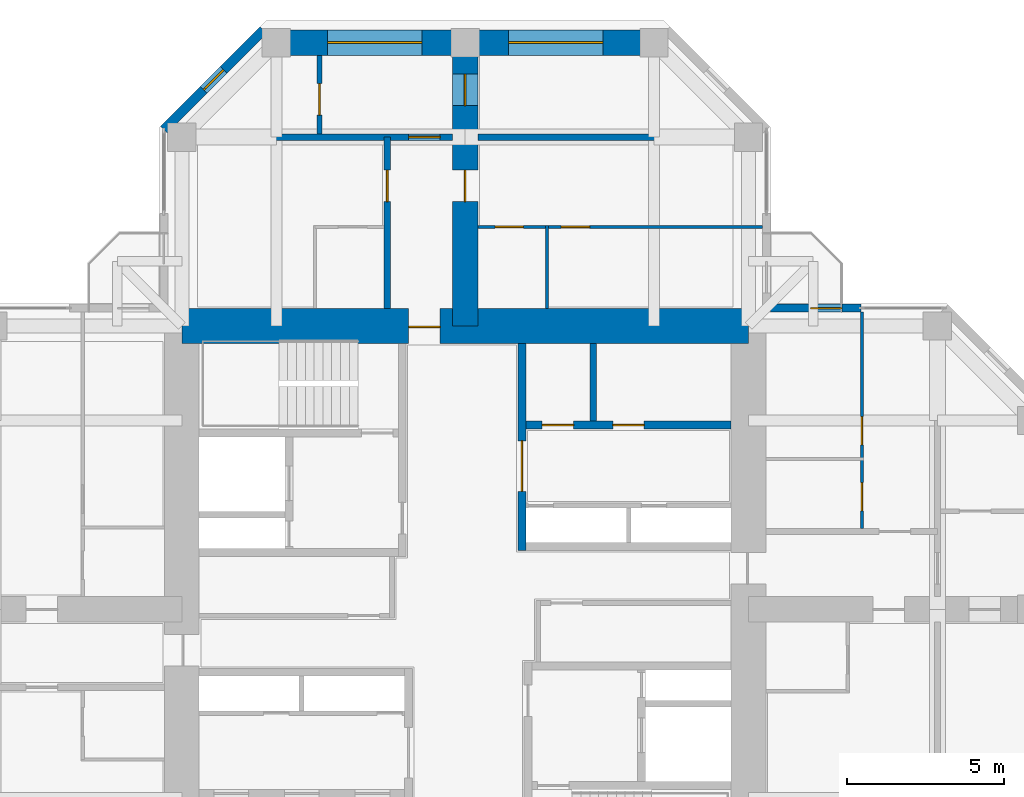
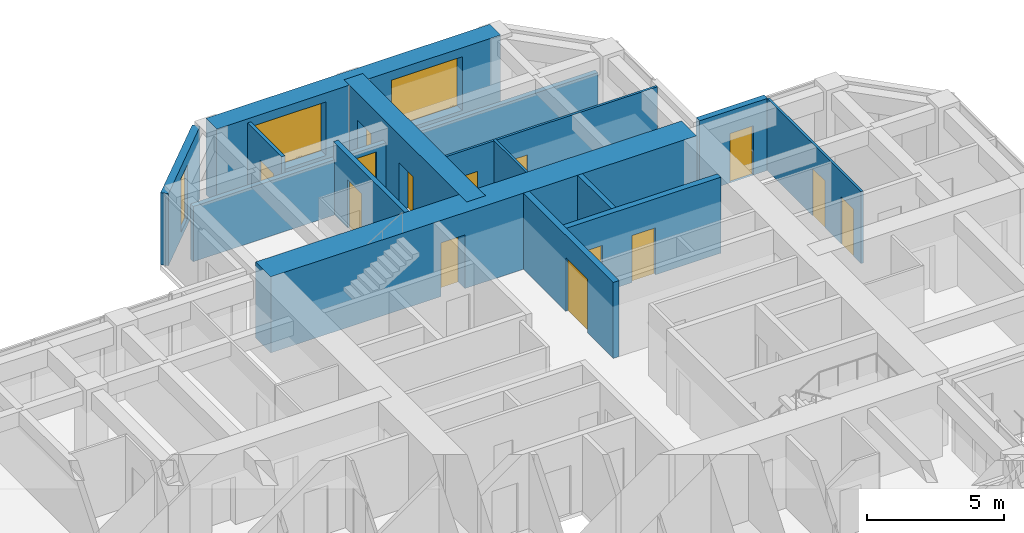
# One storey, part 12 of 14: 15 walls, 14 doors, 3 windows, 17 openings.
"""IFC4 building model written with IfcOpenShell, lengths in metres."""

from ifc_helpers import new_model, si_unit, direction, frame, frame_2d, origin, place, context, subcontext, project, spatial, rectangle, hollow_rectangle, extrude, material, layer, layer_set, constituent, constituent_set, type_object, element, fill, save


model = new_model("IFC4")

# Units and contexts
model_context = context("Model", 3, precision=1e-05, world=origin(), true_north=direction((0.0, 1.0)))
body_context = subcontext(model_context, "Body", "Model", "MODEL_VIEW")
ifc_project = project(units=[si_unit("LENGTHUNIT", "METRE"), si_unit("AREAUNIT", "SQUARE_METRE"), si_unit("VOLUMEUNIT", "CUBIC_METRE"), si_unit("PLANEANGLEUNIT", "RADIAN"), si_unit("MASSUNIT", "GRAM", prefix="KILO")], contexts=[model_context])

# Site, building, storey
site_placement = place(None, origin())
site = spatial("IfcSite", under=ifc_project, at=site_placement, CompositionType="ELEMENT")
building_placement = place(site_placement, origin())
building = spatial("IfcBuilding", under=site, at=building_placement, Name="Torre Cruceta", CompositionType="ELEMENT")
storey_placement = place(building_placement, frame((0.0, 0.0, 203.5)))
storey = spatial("IfcBuildingStorey", under=building, at=storey_placement, Name="L51", CompositionType="ELEMENT", Elevation=203.5)

# Wall
ifc_material_1 = material(Name="Water-resistant plasterboard on steel studs", Category="steel")
ifc_layer_1 = layer(ifc_material_1, 0.10009765625)
ifc_layer_set_1 = layer_set([ifc_layer_1], Name="Water-resistant plasterboard on steel studs")
wall_type_1 = type_object("IfcWallType", Name="BATHROOM WALL 100", PredefinedType="PARTITIONING", material=ifc_layer_set_1)
wall_1_placement = place(storey_placement, frame((2.60009765625, 9.550048828125, 0.0), z_axis=(0.0, 0.0, 1.0), x_axis=(0.0, 1.0, 0.0)))
element("IfcWall", 1, at=wall_1_placement, inside=storey, type_object=wall_type_1, Name="PT4 L51-N-U1RBB", PredefinedType="PARTITIONING", context=body_context, shape_type="SweptSolid", body=[
    extrude(rectangle(XDim=2.64990234375, YDim=0.10009765625, at=frame_2d((1.324951171875, 0.0))), origin(), (0.0, 0.0, 1.0), 3.219970703125),
])

# Wall, openings, doors
wall_2_placement = place(storey_placement, frame((9.445068359375, 12.14990234375, 0.0), z_axis=(0.0, 0.0, 1.0), x_axis=(-1.0, 0.0, 0.0)))
wall_2 = element("IfcWall", 2, at=wall_2_placement, inside=storey, type_object=wall_type_1, Name="PT4 L51-N-U1RBS", PredefinedType="PARTITIONING", context=body_context, shape_type="SweptSolid", body=[
    extrude(rectangle(XDim=9.045166015625, YDim=0.10009765625, at=frame_2d((4.5224609375, 0.0))), origin(), (0.0, 0.0, 1.0), 3.219970703125),
])
opening_1_placement = place(wall_2_placement, frame((5.4951171875, 0.0, 0.0)))
opening_1 = element("IfcOpeningElement", 3, at=opening_1_placement, cuts=wall_2, Name="Opening D7", PredefinedType="OPENING", context=body_context, shape_type="SweptSolid", body=[
    extrude(rectangle(XDim=0.89990234375, YDim=2.10009765625, at=frame_2d((0.449951171875, 1.050048828125))), frame((0.0, 0.06005859375, 0.0), z_axis=(0.0, -1.0, 0.0), x_axis=(1.0, 0.0, 0.0)), (0.0, 0.0, 1.0), 0.1201171875),
])
opening_2_placement = place(wall_2_placement, frame((7.594970703125, 0.0, 0.0)))
opening_2 = element("IfcOpeningElement", 4, at=opening_2_placement, cuts=wall_2, Name="Opening D7", PredefinedType="OPENING", context=body_context, shape_type="SweptSolid", body=[
    extrude(rectangle(XDim=0.89990234375, YDim=2.10009765625, at=frame_2d((0.449951171875, 1.050048828125))), frame((0.0, 0.06005859375, 0.0), z_axis=(0.0, -1.0, 0.0), x_axis=(1.0, 0.0, 0.0)), (0.0, 0.0, 1.0), 0.1201171875),
])
ifc_material_2 = material(Name="Timber door", Category="wood")
door_type_1 = type_object("IfcDoorType", Name="BATHROOM DOOR 900X2100", OperationType="SINGLE_SWING_LEFT", PredefinedType="DOOR", material=ifc_material_2)
door_1_placement = place(opening_1_placement, origin())
door_1 = element("IfcDoor", 5, at=door_1_placement, inside=storey, type_object=door_type_1, Name="D7 L51-N-U1RBS-D1", OperationType="SINGLE_SWING_RIGHT", OverallHeight=2.10009765625, OverallWidth=0.89990234375, PredefinedType="DOOR", context=body_context, shape_type="SweptSolid", body=[
    extrude(rectangle(XDim=0.89990234375, YDim=2.10009765625, at=frame_2d((0.449951171875, 1.050048828125))), frame((0.0, 0.02490234375, 0.0), z_axis=(0.0, -1.0, 0.0), x_axis=(1.0, 0.0, 0.0)), (0.0, 0.0, 1.0), 0.050048828125),
])
fill(opening_1, door_1)
door_2_placement = place(opening_2_placement, origin())
door_2 = element("IfcDoor", 6, at=door_2_placement, inside=storey, type_object=door_type_1, Name="D7 L51-N-U1RBS-D2", OperationType="SINGLE_SWING_RIGHT", OverallHeight=2.10009765625, OverallWidth=0.89990234375, PredefinedType="DOOR", context=body_context, shape_type="SweptSolid", body=[
    extrude(rectangle(XDim=0.89990234375, YDim=2.10009765625, at=frame_2d((0.449951171875, 1.050048828125))), frame((0.0, 0.02490234375, 0.0), z_axis=(0.0, -1.0, 0.0), x_axis=(1.0, 0.0, 0.0)), (0.0, 0.0, 1.0), 0.050048828125),
])
fill(opening_2, door_2)

wall_3_placement = place(storey_placement, frame((12.60009765625, 2.574951171875, 0.0), z_axis=(0.0, 0.0, 1.0), x_axis=(0.0, 1.0, 0.0)))
wall_3 = element("IfcWall", 7, at=wall_3_placement, inside=storey, type_object=wall_type_1, Name="PT4 L51-E-U1LBS", PredefinedType="PARTITIONING", context=body_context, shape_type="SweptSolid", body=[
    extrude(rectangle(XDim=6.8701171875, YDim=0.10009765625, at=frame_2d((3.43505859375, 0.0))), origin(), (0.0, 0.0, 1.0), 3.219970703125),
])
opening_3_placement = place(wall_3_placement, frame((0.550048828125, 0.0, 0.0)))
opening_3 = element("IfcOpeningElement", 8, at=opening_3_placement, cuts=wall_3, Name="Opening D7", PredefinedType="OPENING", context=body_context, shape_type="SweptSolid", body=[
    extrude(rectangle(XDim=0.89990234375, YDim=2.10009765625, at=frame_2d((0.449951171875, 1.050048828125))), frame((0.0, 0.06005859375, 0.0), z_axis=(0.0, -1.0, 0.0), x_axis=(1.0, 0.0, 0.0)), (0.0, 0.0, 1.0), 0.1201171875),
])
opening_4_placement = place(wall_3_placement, frame((2.64990234375, 0.0, 0.0)))
opening_4 = element("IfcOpeningElement", 9, at=opening_4_placement, cuts=wall_3, Name="Opening D7", PredefinedType="OPENING", context=body_context, shape_type="SweptSolid", body=[
    extrude(rectangle(XDim=0.89990234375, YDim=2.10009765625, at=frame_2d((0.449951171875, 1.050048828125))), frame((0.0, 0.06005859375, 0.0), z_axis=(0.0, -1.0, 0.0), x_axis=(1.0, 0.0, 0.0)), (0.0, 0.0, 1.0), 0.1201171875),
])
door_3_placement = place(opening_3_placement, origin())
door_3 = element("IfcDoor", 10, at=door_3_placement, inside=storey, type_object=door_type_1, Name="D7 L51-E-U1LBS-D1", OperationType="SINGLE_SWING_LEFT", OverallHeight=2.10009765625, OverallWidth=0.89990234375, PredefinedType="DOOR", context=body_context, shape_type="SweptSolid", body=[
    extrude(rectangle(XDim=0.89990234375, YDim=2.10009765625, at=frame_2d((0.449951171875, 1.050048828125))), frame((0.0, 0.02490234375, 0.0), z_axis=(0.0, -1.0, 0.0), x_axis=(1.0, 0.0, 0.0)), (0.0, 0.0, 1.0), 0.050048828125),
])
fill(opening_3, door_3)
door_4_placement = place(opening_4_placement, origin())
door_4 = element("IfcDoor", 11, at=door_4_placement, inside=storey, type_object=door_type_1, Name="D7 L51-E-U1LBS-D2", OperationType="SINGLE_SWING_LEFT", OverallHeight=2.10009765625, OverallWidth=0.89990234375, PredefinedType="DOOR", context=body_context, shape_type="SweptSolid", body=[
    extrude(rectangle(XDim=0.89990234375, YDim=2.10009765625, at=frame_2d((0.449951171875, 1.050048828125))), frame((0.0, 0.02490234375, 0.0), z_axis=(0.0, -1.0, 0.0), x_axis=(1.0, 0.0, 0.0)), (0.0, 0.0, 1.0), 0.050048828125),
])
fill(opening_4, door_4)

# Wall, opening, door
ifc_material_3 = material(Name="Concrete G60 (fck 60 MPa)", Category="concrete")
ifc_layer_2 = layer(ifc_material_3, 0.25)
ifc_layer_set_2 = layer_set([ifc_layer_2], Name="Concrete G60 (fck 60 MPa)")
wall_type_2 = type_object("IfcWallType", Name="CORE INNER WALL 250 G60", PredefinedType="SHEAR", material=ifc_layer_set_2)
wall_4_placement = place(storey_placement, frame((1.800048828125, 1.875, 0.0), z_axis=(0.0, 0.0, 1.0), x_axis=(0.0, 1.0, 0.0)))
wall_4 = element("IfcWall", 12, at=wall_4_placement, inside=storey, type_object=wall_type_2, Name="CW4 L51 NE-CU", PredefinedType="SHEAR", context=body_context, shape_type="SweptSolid", body=[
    extrude(rectangle(XDim=6.574951171875, YDim=0.25, at=frame_2d((3.28759765625, 0.0))), origin(), (0.0, 0.0, 1.0), 3.39990234375),
])
opening_5_placement = place(wall_4_placement, frame((1.875, 0.0, 0.0)))
opening_5 = element("IfcOpeningElement", 13, at=opening_5_placement, cuts=wall_4, Name="Opening D15", PredefinedType="OPENING", context=body_context, shape_type="SweptSolid", body=[
    extrude(rectangle(XDim=1.60009765625, YDim=2.39990234375, at=frame_2d((0.800048828125, 1.199951171875))), frame((0.0, 0.135009765625, 0.0), z_axis=(0.0, -1.0, 0.0), x_axis=(1.0, 0.0, 0.0)), (0.0, 0.0, 1.0), 0.27001953125),
])
ifc_material_4 = material(Name="Steel DX51D", Category="steel")
ifc_constituent_1 = constituent(ifc_material_4, Name="Leaf and frame")
ifc_material_5 = material(Name="Polyester powder coating", Category="paint")
ifc_constituent_2 = constituent(ifc_material_5, Name="Finish")
ifc_constituent_set_1 = constituent_set(constituents=[ifc_constituent_1, ifc_constituent_2], Name="Steel fire door")
door_type_2 = type_object("IfcDoorType", Name="CORE ROOM DOUBLE DOOR 1600X2400", OperationType="DOUBLE_DOOR_SINGLE_SWING", PredefinedType="DOOR", material=ifc_constituent_set_1)
door_5_placement = place(opening_5_placement, frame((1.60009765625, 0.0, 0.0), z_axis=(0.0, 0.0, 1.0), x_axis=(-1.0, 0.0, 0.0)))
door_5 = element("IfcDoor", 14, at=door_5_placement, inside=storey, type_object=door_type_2, Name="D15 L51 NE-LOBBY", OperationType="DOUBLE_DOOR_SINGLE_SWING", OverallHeight=2.39990234375, OverallWidth=1.60009765625, PredefinedType="DOOR", context=body_context, shape_type="SweptSolid", body=[
    extrude(rectangle(XDim=1.60009765625, YDim=2.39990234375, at=frame_2d((0.800048828125, 1.199951171875))), frame((0.0, 0.025146484375, 0.0), z_axis=(0.0, -1.0, 0.0), x_axis=(1.0, 0.0, 0.0)), (0.0, 0.0, 1.0), 0.050048828125),
])
fill(opening_5, door_5)

# Wall, openings, doors
wall_5_placement = place(storey_placement, frame((1.925048828125, 5.85009765625, 0.0), z_axis=(0.0, 0.0, 1.0), x_axis=(1.0, 0.0, 0.0)))
wall_5 = element("IfcWall", 15, at=wall_5_placement, inside=storey, type_object=wall_type_2, Name="CW4 L51 NE-LV", PredefinedType="SHEAR", context=body_context, shape_type="SweptSolid", body=[
    extrude(rectangle(XDim=6.52490234375, YDim=0.25, at=frame_2d((3.262451171875, 0.0))), origin(), (0.0, 0.0, 1.0), 3.39990234375),
])
opening_6_placement = place(wall_5_placement, frame((0.520751953125, 0.0, 0.0)))
opening_6 = element("IfcOpeningElement", 16, at=opening_6_placement, cuts=wall_5, Name="Opening D3", PredefinedType="OPENING", context=body_context, shape_type="SweptSolid", body=[
    extrude(rectangle(XDim=1.0, YDim=2.10009765625, at=frame_2d((0.5, 1.050048828125))), frame((0.0, 0.135009765625, 0.0), z_axis=(0.0, -1.0, 0.0), x_axis=(1.0, 0.0, 0.0)), (0.0, 0.0, 1.0), 0.27001953125),
])
opening_7_placement = place(wall_5_placement, frame((2.762451171875, 0.0, 0.0)))
opening_7 = element("IfcOpeningElement", 17, at=opening_7_placement, cuts=wall_5, Name="Opening D3", PredefinedType="OPENING", context=body_context, shape_type="SweptSolid", body=[
    extrude(rectangle(XDim=1.0, YDim=2.10009765625, at=frame_2d((0.5, 1.050048828125))), frame((0.0, 0.135009765625, 0.0), z_axis=(0.0, -1.0, 0.0), x_axis=(1.0, 0.0, 0.0)), (0.0, 0.0, 1.0), 0.27001953125),
])
ifc_material_6 = material(Name="Steel DX51D", Category="steel")
ifc_constituent_3 = constituent(ifc_material_6, Name="Leaf and frame")
ifc_material_7 = material(Name="Polyester powder coating", Category="paint")
ifc_constituent_4 = constituent(ifc_material_7, Name="Finish")
ifc_constituent_set_2 = constituent_set(constituents=[ifc_constituent_3, ifc_constituent_4], Name="Steel fire door")
door_type_3 = type_object("IfcDoorType", Name="FIRE DOOR 1000X2100", OperationType="SINGLE_SWING_LEFT", PredefinedType="DOOR", material=ifc_constituent_set_2)
door_6_placement = place(opening_6_placement, origin())
door_6 = element("IfcDoor", 18, at=door_6_placement, inside=storey, type_object=door_type_3, Name="D3 L51 NE-HR1", OperationType="SINGLE_SWING_LEFT", OverallHeight=2.10009765625, OverallWidth=1.0, PredefinedType="DOOR", context=body_context, shape_type="SweptSolid", body=[
    extrude(rectangle(XDim=1.0, YDim=2.10009765625, at=frame_2d((0.5, 1.050048828125))), frame((0.0, 0.02490234375, 0.0), z_axis=(0.0, -1.0, 0.0), x_axis=(1.0, 0.0, 0.0)), (0.0, 0.0, 1.0), 0.050048828125),
])
fill(opening_6, door_6)
door_7_placement = place(opening_7_placement, origin())
door_7 = element("IfcDoor", 19, at=door_7_placement, inside=storey, type_object=door_type_3, Name="D3 L51 NE-HR2", OperationType="SINGLE_SWING_LEFT", OverallHeight=2.10009765625, OverallWidth=1.0, PredefinedType="DOOR", context=body_context, shape_type="SweptSolid", body=[
    extrude(rectangle(XDim=1.0, YDim=2.10009765625, at=frame_2d((0.5, 1.050048828125))), frame((0.0, 0.02490234375, 0.0), z_axis=(0.0, -1.0, 0.0), x_axis=(1.0, 0.0, 0.0)), (0.0, 0.0, 1.0), 0.050048828125),
])
fill(opening_7, door_7)

# Wall, opening, door
ifc_material_8 = material(Name="Concrete G60 (fck 60 MPa)", Category="concrete")
ifc_layer_3 = layer(ifc_material_8, 1.10009765625)
ifc_layer_set_3 = layer_set([ifc_layer_3], Name="Concrete G60 (fck 60 MPa)")
wall_type_3 = type_object("IfcWallType", Name="CORE WALL 1100 G60", PredefinedType="SHEAR", material=ifc_layer_set_3)
wall_6_placement = place(storey_placement, frame((9.0, 9.0, 0.0), z_axis=(0.0, 0.0, 1.0), x_axis=(-1.0, 0.0, 0.0)))
wall_6 = element("IfcWall", 20, at=wall_6_placement, inside=storey, type_object=wall_type_3, Name="CW2 L51 CW-N", PredefinedType="SHEAR", context=body_context, shape_type="SweptSolid", body=[
    extrude(rectangle(XDim=18.0, YDim=1.10009765625, at=frame_2d((9.0, 0.0))), origin(), (0.0, 0.0, 1.0), 3.39990234375),
])
opening_8_placement = place(wall_6_placement, frame((9.800048828125, 0.0, 0.0)))
opening_8 = element("IfcOpeningElement", 21, at=opening_8_placement, cuts=wall_6, Name="Opening D4", PredefinedType="OPENING", context=body_context, shape_type="SweptSolid", body=[
    extrude(rectangle(XDim=1.0, YDim=2.39990234375, at=frame_2d((0.5, 1.199951171875))), frame((0.0, 0.56005859375, 0.0), z_axis=(0.0, -1.0, 0.0), x_axis=(1.0, 0.0, 0.0)), (0.0, 0.0, 1.0), 1.1201171875),
])
ifc_material_9 = material(Name="Steel DX51D", Category="steel")
ifc_constituent_5 = constituent(ifc_material_9, Name="Leaf and frame")
ifc_material_10 = material(Name="Polyester powder coating", Category="paint")
ifc_constituent_6 = constituent(ifc_material_10, Name="Finish")
ifc_constituent_set_3 = constituent_set(constituents=[ifc_constituent_5, ifc_constituent_6], Name="Steel fire door")
door_type_4 = type_object("IfcDoorType", Name="CORE ARM DOOR 1000X2400", OperationType="SINGLE_SWING_RIGHT", PredefinedType="DOOR", material=ifc_constituent_set_3)
door_8_placement = place(opening_8_placement, origin())
door_8 = element("IfcDoor", 22, at=door_8_placement, inside=storey, type_object=door_type_4, Name="D4 L51 CW-N", OperationType="SINGLE_SWING_RIGHT", OverallHeight=2.39990234375, OverallWidth=1.0, PredefinedType="DOOR", context=body_context, shape_type="SweptSolid", body=[
    extrude(rectangle(XDim=1.0, YDim=2.39990234375, at=frame_2d((0.5, 1.199951171875))), frame((0.0, 0.05517578125, 0.0), z_axis=(0.0, -1.0, 0.0), x_axis=(1.0, 0.0, 0.0)), (0.0, 0.0, 1.0), 0.050048828125),
])
fill(opening_8, door_8)

ifc_material_11 = material(Name="Concrete G25 (fck 25 MPa)", Category="concrete")
ifc_layer_4 = layer(ifc_material_11, 0.199951171875)
ifc_layer_set_4 = layer_set([ifc_layer_4], Name="Concrete G25 (fck 25 MPa)")
wall_type_4 = type_object("IfcWallType", Name="CORRIDOR WALL 200", PredefinedType="SOLIDWALL", material=ifc_layer_set_4)
wall_7_placement = place(storey_placement, frame((-2.47509765625, 9.550048828125, 0.0), z_axis=(0.0, 0.0, 1.0), x_axis=(0.0, 1.0, 0.0)))
wall_7 = element("IfcWall", 23, at=wall_7_placement, inside=storey, type_object=wall_type_4, Name="PT3 L51-N-CL", PredefinedType="SOLIDWALL", context=body_context, shape_type="SweptSolid", body=[
    extrude(rectangle(XDim=5.449951171875, YDim=0.199951171875, at=frame_2d((2.72509765625, 0.0))), origin(), (0.0, 0.0, 1.0), 3.219970703125),
])
opening_9_placement = place(wall_7_placement, frame((3.39990234375, 0.0, 0.0)))
opening_9 = element("IfcOpeningElement", 24, at=opening_9_placement, cuts=wall_7, Name="Opening D6", PredefinedType="OPENING", context=body_context, shape_type="SweptSolid", body=[
    extrude(rectangle(XDim=1.0, YDim=2.14990234375, at=frame_2d((0.5, 1.074951171875))), frame((0.0, 0.10986328125, 0.0), z_axis=(0.0, -1.0, 0.0), x_axis=(1.0, 0.0, 0.0)), (0.0, 0.0, 1.0), 0.219970703125),
])
ifc_material_12 = material(Name="Timber fire door", Category="wood")
door_type_5 = type_object("IfcDoorType", Name="UNIT ENTRANCE DOOR 1000X2150", OperationType="SINGLE_SWING_LEFT", PredefinedType="DOOR", material=ifc_material_12)
door_9_placement = place(opening_9_placement, origin())
door_9 = element("IfcDoor", 25, at=door_9_placement, inside=storey, type_object=door_type_5, Name="D6 L51-N-CL-D1", OperationType="SINGLE_SWING_LEFT", OverallHeight=2.14990234375, OverallWidth=1.0, PredefinedType="DOOR", context=body_context, shape_type="SweptSolid", body=[
    extrude(rectangle(XDim=1.0, YDim=2.14990234375, at=frame_2d((0.5, 1.074951171875))), frame((0.0, 0.02490234375, 0.0), z_axis=(0.0, -1.0, 0.0), x_axis=(1.0, 0.0, 0.0)), (0.0, 0.0, 1.0), 0.050048828125),
])
fill(opening_9, door_9)

# Wall, opening, window
ifc_material_13 = material(Name="Concrete G30 (fck 30 MPa)", Category="concrete")
ifc_layer_5 = layer(ifc_material_13, 0.300048828125)
ifc_layer_set_5 = layer_set([ifc_layer_5], Name="Concrete G30 (fck 30 MPa)")
wall_type_5 = type_object("IfcWallType", Name="EXPOSED CONCRETE FACADE WALL 300", PredefinedType="SOLIDWALL", material=ifc_layer_set_5)
wall_8_placement = place(storey_placement, frame((-6.406005859375, 18.39990234375, 0.0), z_axis=(0.0, 0.0, 1.0), x_axis=(-0.707134062067, -0.707079499254, 0.0)))
wall_8 = element("IfcWall", 26, at=wall_8_placement, inside=storey, type_object=wall_type_5, Name="EW1 facade wall L51 N chamfer 08", PredefinedType="SOLIDWALL", context=body_context, shape_type="SweptSolid", body=[
    extrude(rectangle(XDim=4.474609375, YDim=0.300048828125, at=frame_2d((2.2373046875, 0.0))), origin(), (0.0, 0.0, 1.0), 3.219970703125),
])
opening_10_placement = place(wall_8_placement, frame((1.787109375, 0.0, 0.300048828125)))
opening_10 = element("IfcOpeningElement", 27, at=opening_10_placement, cuts=wall_8, Name="Opening WN5", PredefinedType="OPENING", context=body_context, shape_type="SweptSolid", body=[
    extrude(rectangle(XDim=0.89990234375, YDim=2.39990234375, at=frame_2d((0.449951171875, 1.199951171875))), frame((0.0, 0.159912109375, 0.0), z_axis=(0.0, -1.0, 0.0), x_axis=(1.0, 0.0, 0.0)), (0.0, 0.0, 1.0), 0.320068359375),
])
ifc_material_14 = material(Name="Aluminium window frame", Category="aluminium")
ifc_constituent_7 = constituent(ifc_material_14, Name="Frame")
ifc_material_15 = material(Name="Laminated insulating glass unit, low-iron clear", Category="glass")
ifc_constituent_8 = constituent(ifc_material_15, Name="Glazing")
ifc_constituent_set_4 = constituent_set(constituents=[ifc_constituent_7, ifc_constituent_8], Name="Aluminium window")
window_type_1 = type_object("IfcWindowType", Name="CHAMFER SLOT WINDOW 900X2400", PartitioningType="SINGLE_PANEL", PredefinedType="WINDOW", material=ifc_constituent_set_4)
window_1_placement = place(opening_10_placement, origin())
window_1 = element("IfcWindow", 28, at=window_1_placement, inside=storey, type_object=window_type_1, Name="WN5 L51 N 1", OverallHeight=2.39990234375, OverallWidth=0.89990234375, PartitioningType="SINGLE_PANEL", PredefinedType="WINDOW", context=body_context, shape_type="SweptSolid", body=[
    extrude(hollow_rectangle(XDim=0.89990234375, YDim=2.39990234375, WallThickness=0.06005859375, at=frame_2d((0.449951171875, 1.199951171875))), frame((0.0, 0.030029296875, 0.0), z_axis=(0.0, -1.0, 0.0), x_axis=(1.0, 0.0, 0.0)), (0.0, 0.0, 1.0), 0.06005859375),
    extrude(rectangle(XDim=0.77880859375, YDim=2.27880859375, at=frame_2d((0.449951171875, 1.199951171875))), frame((0.0, 0.030029296875, 0.0), z_axis=(0.0, -1.0, 0.0), x_axis=(1.0, 0.0, 0.0)), (0.0, 0.0, 1.0), 0.06005859375),
])
fill(opening_10, window_1)

# Wall
ifc_material_16 = material(Name="Concrete G35 (fck 35 MPa)", Category="concrete")
ifc_layer_6 = layer(ifc_material_16, 0.199951171875)
ifc_layer_set_6 = layer_set([ifc_layer_6], Name="Concrete G35 (fck 35 MPa)")
wall_type_6 = type_object("IfcWallType", Name="LIFT SHAFT WALL 200", PredefinedType="PARTITIONING", material=ifc_layer_set_6)
wall_9_placement = place(storey_placement, frame((4.066650390625, 5.97509765625, 0.0), z_axis=(0.0, 0.0, 1.0), x_axis=(0.0, 1.0, 0.0)))
element("IfcWall", 29, at=wall_9_placement, inside=storey, type_object=wall_type_6, Name="SW1 L51 NE-LS1", PredefinedType="PARTITIONING", context=body_context, shape_type="SweptSolid", body=[
    extrude(rectangle(XDim=2.474853515625, YDim=0.199951171875, at=frame_2d((1.2373046875, 0.0))), origin(), (0.0, 0.0, 1.0), 3.39990234375),
])

# Wall, openings, windows
ifc_material_17 = material(Name="Concrete G60 (fck 60 MPa)", Category="concrete")
ifc_layer_7 = layer(ifc_material_17, 0.800048828125)
ifc_layer_set_7 = layer_set([ifc_layer_7], Name="Concrete G60 (fck 60 MPa)")
wall_type_7 = type_object("IfcWallType", Name="NOSE WALL 800 G60", PredefinedType="SHEAR", material=ifc_layer_set_7)
wall_10_placement = place(storey_placement, frame((6.0, 18.0, 0.0), z_axis=(0.0, 0.0, 1.0), x_axis=(-1.0, 0.0, 0.0)))
wall_10 = element("IfcWall", 30, at=wall_10_placement, inside=storey, type_object=wall_type_7, Name="NW2 nose wall L51 N", PredefinedType="SHEAR", context=body_context, shape_type="SweptSolid", body=[
    extrude(rectangle(XDim=12.0, YDim=0.800048828125, at=frame_2d((6.0, 0.0))), origin(), (0.0, 0.0, 1.0), 3.39990234375),
])
opening_11_placement = place(wall_10_placement, frame((1.625, 0.0, 0.60009765625)))
opening_11 = element("IfcOpeningElement", 31, at=opening_11_placement, cuts=wall_10, Name="Opening WN6", PredefinedType="OPENING", context=body_context, shape_type="SweptSolid", body=[
    extrude(rectangle(XDim=3.0, YDim=2.39990234375, at=frame_2d((1.5, 1.199951171875))), frame((0.0, 0.409912109375, 0.0), z_axis=(0.0, -1.0, 0.0), x_axis=(1.0, 0.0, 0.0)), (0.0, 0.0, 1.0), 0.820068359375),
])
opening_12_placement = place(wall_10_placement, frame((7.375, 0.0, 0.60009765625)))
opening_12 = element("IfcOpeningElement", 32, at=opening_12_placement, cuts=wall_10, Name="Opening WN6", PredefinedType="OPENING", context=body_context, shape_type="SweptSolid", body=[
    extrude(rectangle(XDim=3.0, YDim=2.39990234375, at=frame_2d((1.5, 1.199951171875))), frame((0.0, 0.409912109375, 0.0), z_axis=(0.0, -1.0, 0.0), x_axis=(1.0, 0.0, 0.0)), (0.0, 0.0, 1.0), 0.820068359375),
])
ifc_material_18 = material(Name="Aluminium window frame", Category="aluminium")
ifc_constituent_9 = constituent(ifc_material_18, Name="Frame")
ifc_material_19 = material(Name="Laminated insulating glass unit, low-iron clear", Category="glass")
ifc_constituent_10 = constituent(ifc_material_19, Name="Glazing")
ifc_constituent_set_5 = constituent_set(constituents=[ifc_constituent_9, ifc_constituent_10], Name="Aluminium window")
window_type_2 = type_object("IfcWindowType", Name="NOSE WALL WINDOW 3000X2400", PartitioningType="SINGLE_PANEL", PredefinedType="WINDOW", material=ifc_constituent_set_5)
window_2_placement = place(opening_11_placement, origin())
window_2 = element("IfcWindow", 33, at=window_2_placement, inside=storey, type_object=window_type_2, Name="WN6 L51 N 1", OverallHeight=2.39990234375, OverallWidth=3.0, PartitioningType="SINGLE_PANEL", PredefinedType="WINDOW", context=body_context, shape_type="SweptSolid", body=[
    extrude(hollow_rectangle(XDim=3.0, YDim=2.39990234375, WallThickness=0.06005859375, at=frame_2d((1.5, 1.199951171875))), frame((0.0, 0.030029296875, 0.0), z_axis=(0.0, -1.0, 0.0), x_axis=(1.0, 0.0, 0.0)), (0.0, 0.0, 1.0), 0.06005859375),
    extrude(rectangle(XDim=2.87890625, YDim=2.27880859375, at=frame_2d((1.5, 1.199951171875))), frame((0.0, 0.030029296875, 0.0), z_axis=(0.0, -1.0, 0.0), x_axis=(1.0, 0.0, 0.0)), (0.0, 0.0, 1.0), 0.06005859375),
])
fill(opening_11, window_2)
window_3_placement = place(opening_12_placement, origin())
window_3 = element("IfcWindow", 34, at=window_3_placement, inside=storey, type_object=window_type_2, Name="WN6 L51 N 2", OverallHeight=2.39990234375, OverallWidth=3.0, PartitioningType="SINGLE_PANEL", PredefinedType="WINDOW", context=body_context, shape_type="SweptSolid", body=[
    extrude(hollow_rectangle(XDim=3.0, YDim=2.39990234375, WallThickness=0.06005859375, at=frame_2d((1.5, 1.199951171875))), frame((0.0, 0.030029296875, 0.0), z_axis=(0.0, -1.0, 0.0), x_axis=(1.0, 0.0, 0.0)), (0.0, 0.0, 1.0), 0.06005859375),
    extrude(rectangle(XDim=2.87890625, YDim=2.27880859375, at=frame_2d((1.5, 1.199951171875))), frame((0.0, 0.030029296875, 0.0), z_axis=(0.0, -1.0, 0.0), x_axis=(1.0, 0.0, 0.0)), (0.0, 0.0, 1.0), 0.06005859375),
])
fill(opening_12, window_3)

# Wall, opening, door
ifc_material_20 = material(Name="Plasterboard on steel studs", Category="steel")
ifc_layer_8 = layer(ifc_material_20, 0.14990234375)
ifc_layer_set_8 = layer_set([ifc_layer_8], Name="Plasterboard on steel studs")
wall_type_8 = type_object("IfcWallType", Name="PARTITION 150", PredefinedType="PARTITIONING", material=ifc_layer_set_8)
wall_11_placement = place(storey_placement, frame((-4.625, 15.10009765625, 0.0), z_axis=(0.0, 0.0, 1.0), x_axis=(0.0, 1.0, 0.0)))
wall_11 = element("IfcWall", 35, at=wall_11_placement, inside=storey, type_object=wall_type_8, Name="PT1 L51-N-ENDX", PredefinedType="PARTITIONING", context=body_context, shape_type="SweptSolid", body=[
    extrude(rectangle(XDim=2.5, YDim=0.14990234375, at=frame_2d((1.25, 0.0))), origin(), (0.0, 0.0, 1.0), 3.219970703125),
])
opening_13_placement = place(wall_11_placement, frame((0.60009765625, 0.0, 0.0)))
opening_13 = element("IfcOpeningElement", 36, at=opening_13_placement, cuts=wall_11, Name="Opening D3", PredefinedType="OPENING", context=body_context, shape_type="SweptSolid", body=[
    extrude(rectangle(XDim=1.0, YDim=2.10009765625, at=frame_2d((0.5, 1.050048828125))), frame((0.0, 0.0849609375, 0.0), z_axis=(0.0, -1.0, 0.0), x_axis=(1.0, 0.0, 0.0)), (0.0, 0.0, 1.0), 0.169921875),
])
door_10_placement = place(opening_13_placement, origin())
door_10 = element("IfcDoor", 37, at=door_10_placement, inside=storey, type_object=door_type_3, Name="D3 L51-N-ENDX-D1", OperationType="SINGLE_SWING_LEFT", OverallHeight=2.10009765625, OverallWidth=1.0, PredefinedType="DOOR", context=body_context, shape_type="SweptSolid", body=[
    extrude(rectangle(XDim=1.0, YDim=2.10009765625, at=frame_2d((0.5, 1.050048828125))), frame((0.0, 0.02490234375, 0.0), z_axis=(0.0, -1.0, 0.0), x_axis=(1.0, 0.0, 0.0)), (0.0, 0.0, 1.0), 0.050048828125),
])
fill(opening_13, door_10)

# Wall, openings, doors
ifc_material_21 = material(Name="Concrete G60 (fck 60 MPa)", Category="concrete")
ifc_layer_9 = layer(ifc_material_21, 0.800048828125)
ifc_layer_set_9 = layer_set([ifc_layer_9], Name="Concrete G60 (fck 60 MPa)")
wall_type_9 = type_object("IfcWallType", Name="SPINE WALL 800 G60", PredefinedType="SHEAR", material=ifc_layer_set_9)
wall_12_placement = place(storey_placement, frame((0.0, 9.0, 0.0), z_axis=(0.0, 0.0, 1.0), x_axis=(0.0, 1.0, 0.0)))
wall_12 = element("IfcWall", 38, at=wall_12_placement, inside=storey, type_object=wall_type_9, Name="SW4 spine wall L51 N", PredefinedType="SHEAR", context=body_context, shape_type="SweptSolid", body=[
    extrude(rectangle(XDim=9.0, YDim=0.800048828125, at=frame_2d((4.5, 0.0))), origin(), (0.0, 0.0, 1.0), 3.39990234375),
])
opening_14_placement = place(wall_12_placement, frame((3.949951171875, 0.0, 0.0)))
opening_14 = element("IfcOpeningElement", 39, at=opening_14_placement, cuts=wall_12, Name="Opening D6", PredefinedType="OPENING", context=body_context, shape_type="SweptSolid", body=[
    extrude(rectangle(XDim=1.0, YDim=2.14990234375, at=frame_2d((0.5, 1.074951171875))), frame((0.0, 0.409912109375, 0.0), z_axis=(0.0, -1.0, 0.0), x_axis=(1.0, 0.0, 0.0)), (0.0, 0.0, 1.0), 0.820068359375),
])
opening_15_placement = place(wall_12_placement, frame((7.0, 0.0, 0.0)))
opening_15 = element("IfcOpeningElement", 40, at=opening_15_placement, cuts=wall_12, Name="Opening D14", PredefinedType="OPENING", context=body_context, shape_type="SweptSolid", body=[
    extrude(rectangle(XDim=1.0, YDim=2.199951171875, at=frame_2d((0.5, 1.10009765625))), frame((0.0, 0.409912109375, 0.0), z_axis=(0.0, -1.0, 0.0), x_axis=(1.0, 0.0, 0.0)), (0.0, 0.0, 1.0), 0.820068359375),
])
ifc_material_22 = material(Name="Steel DX51D", Category="steel")
ifc_constituent_11 = constituent(ifc_material_22, Name="Leaf and frame")
ifc_material_23 = material(Name="Polyester powder coating", Category="paint")
ifc_constituent_12 = constituent(ifc_material_23, Name="Finish")
ifc_material_24 = material(Name="Fire-resisting glass", Category="glass")
ifc_constituent_13 = constituent(ifc_material_24, Name="Vision panel")
ifc_constituent_set_6 = constituent_set(constituents=[ifc_constituent_11, ifc_constituent_12, ifc_constituent_13], Name="Steel fire door with vision panel")
door_type_6 = type_object("IfcDoorType", Name="FIRE DOOR VISION PANEL 1000X2200", OperationType="SINGLE_SWING_RIGHT", PredefinedType="DOOR", material=ifc_constituent_set_6)
door_11_placement = place(opening_15_placement, origin())
door_11 = element("IfcDoor", 41, at=door_11_placement, inside=storey, type_object=door_type_6, Name="D14 L51-N-SP2", OperationType="SINGLE_SWING_RIGHT", OverallHeight=2.199951171875, OverallWidth=1.0, PredefinedType="DOOR", context=body_context, shape_type="SweptSolid", body=[
    extrude(rectangle(XDim=1.0, YDim=2.199951171875, at=frame_2d((0.5, 1.10009765625))), frame((0.0, 0.02490234375, 0.0), z_axis=(0.0, -1.0, 0.0), x_axis=(1.0, 0.0, 0.0)), (0.0, 0.0, 1.0), 0.050048828125),
])
fill(opening_15, door_11)
door_12_placement = place(opening_14_placement, frame((1.0, 0.0, 0.0), z_axis=(0.0, 0.0, 1.0), x_axis=(-1.0, 0.0, 0.0)))
door_12 = element("IfcDoor", 42, at=door_12_placement, inside=storey, type_object=door_type_5, Name="D6 L51-N-SP1", OperationType="SINGLE_SWING_RIGHT", OverallHeight=2.14990234375, OverallWidth=1.0, PredefinedType="DOOR", context=body_context, shape_type="SweptSolid", body=[
    extrude(rectangle(XDim=1.0, YDim=2.14990234375, at=frame_2d((0.5, 1.074951171875))), frame((0.0, 0.025146484375, 0.0), z_axis=(0.0, -1.0, 0.0), x_axis=(1.0, 0.0, 0.0)), (0.0, 0.0, 1.0), 0.050048828125),
])
fill(opening_14, door_12)

# Wall
ifc_material_25 = material(Name="Concrete G25 (fck 25 MPa)", Category="concrete")
ifc_layer_10 = layer(ifc_material_25, 0.199951171875)
ifc_layer_set_10 = layer_set([ifc_layer_10], Name="Concrete G25 (fck 25 MPa)")
wall_type_10 = type_object("IfcWallType", Name="UNIT SEPARATING WALL 200", PredefinedType="SOLIDWALL", material=ifc_layer_set_10)
wall_13_placement = place(storey_placement, frame((8.550048828125, 15.0, 0.0), z_axis=(0.0, 0.0, 1.0), x_axis=(-1.0, 0.0, 0.0)))
element("IfcWall", 43, at=wall_13_placement, inside=storey, type_object=wall_type_10, Name="PT2 L51-N-ENDa", PredefinedType="SOLIDWALL", context=body_context, shape_type="SweptSolid", body=[
    extrude(rectangle(XDim=8.150146484375, YDim=0.199951171875, at=frame_2d((4.0751953125, 0.0))), origin(), (0.0, 0.0, 1.0), 2.469970703125),
])

# Wall, opening, door
wall_14_placement = place(storey_placement, frame((-0.39990234375, 15.0, 0.0), z_axis=(0.0, 0.0, 1.0), x_axis=(-1.0, 0.0, 0.0)))
wall_14 = element("IfcWall", 44, at=wall_14_placement, inside=storey, type_object=wall_type_10, Name="PT2 L51-N-ENDb", PredefinedType="SOLIDWALL", context=body_context, shape_type="SweptSolid", body=[
    extrude(rectangle(XDim=8.150146484375, YDim=0.199951171875, at=frame_2d((4.0751953125, 0.0))), origin(), (0.0, 0.0, 1.0), 2.469970703125),
])
opening_16_placement = place(wall_14_placement, frame((0.39990234375, 0.0, 0.0)))
opening_16 = element("IfcOpeningElement", 45, at=opening_16_placement, cuts=wall_14, Name="Opening D14", PredefinedType="OPENING", context=body_context, shape_type="SweptSolid", body=[
    extrude(rectangle(XDim=1.0, YDim=2.199951171875, at=frame_2d((0.5, 1.10009765625))), frame((0.0, 0.10986328125, 0.0), z_axis=(0.0, -1.0, 0.0), x_axis=(1.0, 0.0, 0.0)), (0.0, 0.0, 1.0), 0.219970703125),
])
door_13_placement = place(opening_16_placement, frame((1.0, 0.0, 0.0), z_axis=(0.0, 0.0, 1.0), x_axis=(-1.0, 0.0, 0.0)))
door_13 = element("IfcDoor", 46, at=door_13_placement, inside=storey, type_object=door_type_6, Name="D14 L51-N-ENDb-D1", OperationType="SINGLE_SWING_RIGHT", OverallHeight=2.199951171875, OverallWidth=1.0, PredefinedType="DOOR", context=body_context, shape_type="SweptSolid", body=[
    extrude(rectangle(XDim=1.0, YDim=2.199951171875, at=frame_2d((0.5, 1.10009765625))), frame((0.0, 0.025146484375, 0.0), z_axis=(0.0, -1.0, 0.0), x_axis=(1.0, 0.0, 0.0)), (0.0, 0.0, 1.0), 0.050048828125),
])
fill(opening_16, door_13)

ifc_material_26 = material(Name="Concrete G30 (fck 30 MPa)", Category="concrete")
ifc_layer_11 = layer(ifc_material_26, 0.25)
ifc_layer_set_11 = layer_set([ifc_layer_11], Name="Concrete G30 (fck 30 MPa)")
wall_type_11 = type_object("IfcWallType", Name="WINTER GARDEN WALL 250", PredefinedType="SOLIDWALL", material=ifc_layer_set_11)
wall_15_placement = place(storey_placement, frame((12.570068359375, 9.570068359375, 0.0), z_axis=(0.0, 0.0, 1.0), x_axis=(-1.0, 0.0, 0.0)))
wall_15 = element("IfcWall", 47, at=wall_15_placement, inside=storey, type_object=wall_type_11, Name="EW2 winter garden wall L51 04", PredefinedType="SOLIDWALL", context=body_context, shape_type="SweptSolid", body=[
    extrude(rectangle(XDim=2.875, YDim=0.25, at=frame_2d((1.4375, 0.0))), origin(), (0.0, 0.0, 1.0), 3.219970703125),
])
opening_17_placement = place(wall_15_placement, frame((0.60009765625, 0.0, 0.0)))
opening_17 = element("IfcOpeningElement", 48, at=opening_17_placement, cuts=wall_15, Name="Opening D10", PredefinedType="OPENING", context=body_context, shape_type="SweptSolid", body=[
    extrude(rectangle(XDim=1.0, YDim=2.199951171875, at=frame_2d((0.5, 1.10009765625))), frame((0.0, 0.135009765625, 0.0), z_axis=(0.0, -1.0, 0.0), x_axis=(1.0, 0.0, 0.0)), (0.0, 0.0, 1.0), 0.27001953125),
])
ifc_material_27 = material(Name="Aluminium door frame", Category="aluminium")
ifc_constituent_14 = constituent(ifc_material_27, Name="Frame")
ifc_material_28 = material(Name="Laminated safety glass", Category="glass")
ifc_constituent_15 = constituent(ifc_material_28, Name="Glazing")
ifc_constituent_set_7 = constituent_set(constituents=[ifc_constituent_14, ifc_constituent_15], Name="Aluminium glazed door")
door_type_7 = type_object("IfcDoorType", Name="BALCONY DOOR 1000X2200", OperationType="SINGLE_SWING_RIGHT", PredefinedType="DOOR", material=ifc_constituent_set_7)
door_14_placement = place(opening_17_placement, origin())
door_14 = element("IfcDoor", 49, at=door_14_placement, inside=storey, type_object=door_type_7, Name="D10 balcony door L51 04", OperationType="SINGLE_SWING_LEFT", OverallHeight=2.199951171875, OverallWidth=1.0, PredefinedType="DOOR", context=body_context, shape_type="SweptSolid", body=[
    extrude(hollow_rectangle(XDim=1.0, YDim=2.199951171875, WallThickness=0.06005859375, at=frame_2d((0.5, 1.10009765625))), frame((0.0, 0.02490234375, 0.0), z_axis=(0.0, -1.0, 0.0), x_axis=(1.0, 0.0, 0.0)), (0.0, 0.0, 1.0), 0.050048828125),
    extrude(rectangle(XDim=0.87890625, YDim=2.078857421875, at=frame_2d((0.5, 1.10009765625))), frame((0.0, 0.02490234375, 0.0), z_axis=(0.0, -1.0, 0.0), x_axis=(1.0, 0.0, 0.0)), (0.0, 0.0, 1.0), 0.050048828125),
])
fill(opening_17, door_14)

save(model, "model.ifc")
